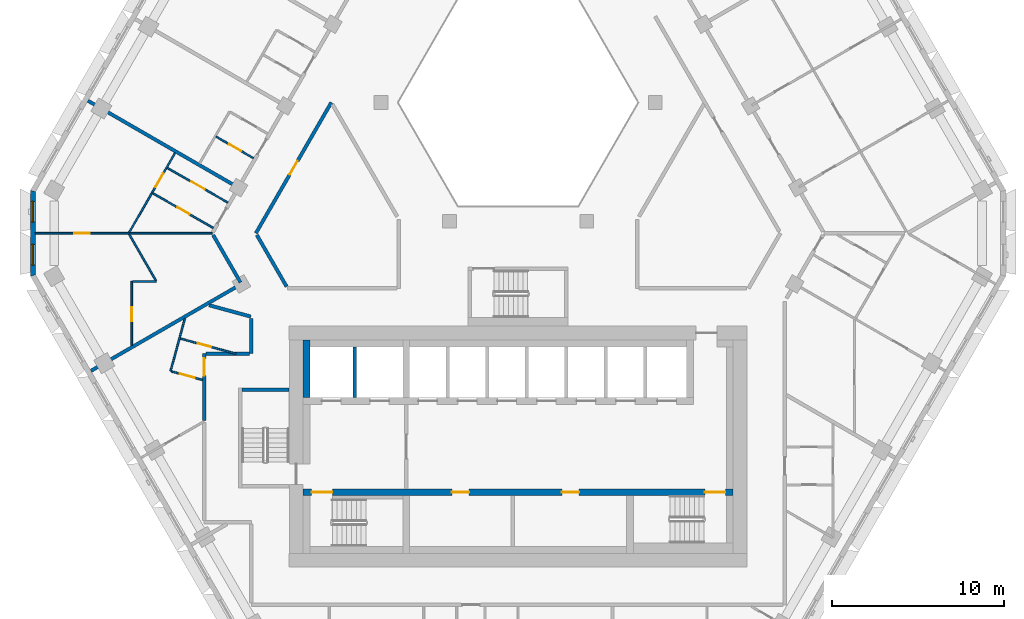
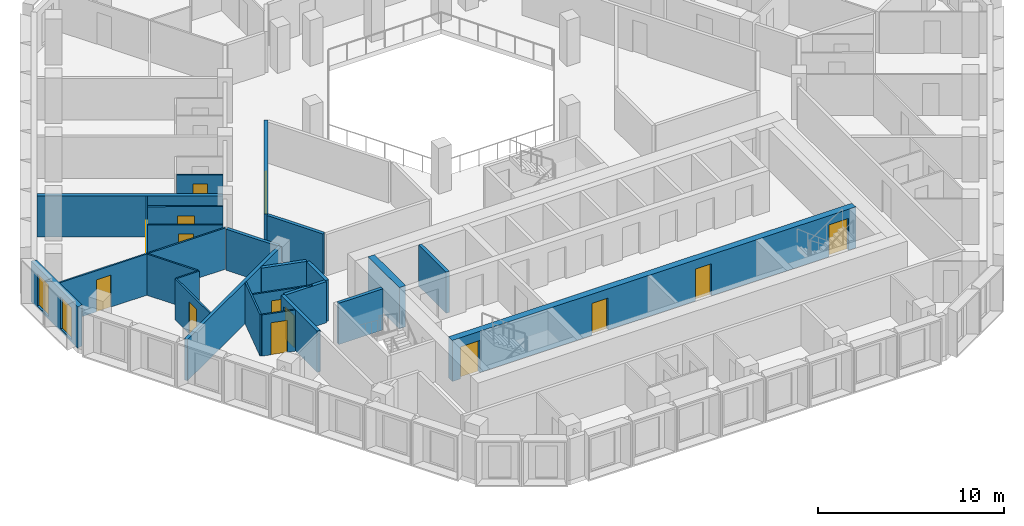
# One storey, part 4 of 17: 25 walls, 14 doors, 2 windows, 16 openings.
"""IFC4 building model written with IfcOpenShell, lengths in metres."""

from ifc_helpers import new_model, si_unit, direction, frame, frame_2d, origin, place, context, subcontext, project, spatial, polyline, rectangle, outline, extrude, material, layer, layer_set, type_object, element, fill, save


model = new_model("IFC4")

# Units and contexts
model_context = context("Model", 3, precision=1e-05, world=origin(), true_north=direction((0.0, 1.0)))
body_context = subcontext(model_context, "Body", "Model", "MODEL_VIEW")
ifc_project = project(units=[si_unit("LENGTHUNIT", "METRE"), si_unit("AREAUNIT", "SQUARE_METRE"), si_unit("VOLUMEUNIT", "CUBIC_METRE"), si_unit("PLANEANGLEUNIT", "RADIAN"), si_unit("MASSUNIT", "GRAM", prefix="KILO")], contexts=[model_context])

# Site, building, storey
site_placement = place(None, origin())
site = spatial("IfcSite", under=ifc_project, at=site_placement, CompositionType="ELEMENT")
building_placement = place(site_placement, origin())
building = spatial("IfcBuilding", under=site, at=building_placement, Name="Beryl Residences", CompositionType="ELEMENT")
storey_placement = place(building_placement, frame((0.0, 0.0, 120.60009765625)))
storey = spatial("IfcBuildingStorey", under=building, at=storey_placement, Name="L36", CompositionType="ELEMENT", Elevation=120.60009765625)

# Wall, openings, windows
ifc_material_1 = material(Name="Composite metal panel with mineral wool insulation")
ifc_layer_1 = layer(ifc_material_1, 0.300048828125)
ifc_layer_set_1 = layer_set([ifc_layer_1], Name="ES1 pale metal composite panel wall 300 mm")
wall_type_1 = type_object("IfcWallType", Name="ES1 pale metal composite panel wall 300 mm", PredefinedType="SOLIDWALL", material=ifc_layer_set_1)
wall_1_placement = place(storey_placement, frame((-28.197998046875, 2.89990234375, 0.0), z_axis=(0.0, 0.0, 1.0), x_axis=(0.0, -1.0, 0.0)))
wall_1 = element("IfcWall", 1, at=wall_1_placement, inside=storey, type_object=wall_type_1, Name="ES1 external wall L36 NW-SW", PredefinedType="SOLIDWALL", context=body_context, shape_type="SweptSolid", body=[
    extrude(outline(polyline([(0.0, -0.14990234375), (5.0, -0.14990234375), (4.919677734375, 0.14990234375), (0.080322265625, 0.14990234375), (0.0, -0.14990234375)])), origin(), (0.0, 0.0, 1.0), 2.699951171875),
])
opening_1_placement = place(wall_1_placement, frame((0.64990234375, 0.0, 0.14990234375)))
opening_1 = element("IfcOpeningElement", 2, at=opening_1_placement, cuts=wall_1, Name="Opening W2", PredefinedType="OPENING", context=body_context, shape_type="SweptSolid", body=[
    extrude(rectangle(XDim=1.199951171875, YDim=2.10009765625, at=frame_2d((0.60009765625, 1.050048828125))), frame((0.0, 0.159912109375, 0.0), z_axis=(0.0, -1.0, 0.0), x_axis=(1.0, 0.0, 0.0)), (0.0, 0.0, 1.0), 0.320068359375),
])
opening_2_placement = place(wall_1_placement, frame((3.14990234375, 0.0, 0.14990234375)))
opening_2 = element("IfcOpeningElement", 3, at=opening_2_placement, cuts=wall_1, Name="Opening W2", PredefinedType="OPENING", context=body_context, shape_type="SweptSolid", body=[
    extrude(rectangle(XDim=1.199951171875, YDim=2.10009765625, at=frame_2d((0.60009765625, 1.050048828125))), frame((0.0, 0.159912109375, 0.0), z_axis=(0.0, -1.0, 0.0), x_axis=(1.0, 0.0, 0.0)), (0.0, 0.0, 1.0), 0.320068359375),
])
ifc_material_2 = material(Name="Aluminium and clear glass", Category="aluminium")
window_type = type_object("IfcWindowType", Name="W2 chamfer window 1200 x 2100 mm", PartitioningType="SINGLE_PANEL", PredefinedType="WINDOW", material=ifc_material_2)
window_1_placement = place(opening_1_placement, origin())
window_1 = element("IfcWindow", 4, at=window_1_placement, inside=storey, type_object=window_type, Name="W2 window L36 NW-SW 1", OverallHeight=2.10009765625, OverallWidth=1.199951171875, PartitioningType="SINGLE_PANEL", PredefinedType="WINDOW", context=body_context, shape_type="SweptSolid", body=[
    extrude(rectangle(XDim=1.199951171875, YDim=2.10009765625, at=frame_2d((0.60009765625, 1.050048828125))), frame((0.0, 0.030029296875, 0.0), z_axis=(0.0, -1.0, 0.0), x_axis=(1.0, 0.0, 0.0)), (0.0, 0.0, 1.0), 0.06005859375),
])
fill(opening_1, window_1)
window_2_placement = place(opening_2_placement, origin())
window_2 = element("IfcWindow", 5, at=window_2_placement, inside=storey, type_object=window_type, Name="W2 window L36 NW-SW 2", OverallHeight=2.10009765625, OverallWidth=1.199951171875, PartitioningType="SINGLE_PANEL", PredefinedType="WINDOW", context=body_context, shape_type="SweptSolid", body=[
    extrude(rectangle(XDim=1.199951171875, YDim=2.10009765625, at=frame_2d((0.60009765625, 1.050048828125))), frame((0.0, 0.030029296875, 0.0), z_axis=(0.0, -1.0, 0.0), x_axis=(1.0, 0.0, 0.0)), (0.0, 0.0, 1.0), 0.06005859375),
])
fill(opening_2, window_2)

# Wall
ifc_material_3 = material(Name="Gypsum board partition on steel studs", Category="steel")
ifc_layer_2 = layer(ifc_material_3, 0.10009765625)
ifc_layer_set_2 = layer_set([ifc_layer_2], Name="PT1 partition 100 mm gypsum board on steel studs")
wall_type_2 = type_object("IfcWallType", Name="PT1 partition 100 mm gypsum board on steel studs", PredefinedType="PARTITIONING", material=ifc_layer_set_2)
wall_2_placement = place(storey_placement, frame((-22.60302734375, 0.34912109375, 0.0), z_axis=(0.0, 0.0, 1.0), x_axis=(0.499930403552, -0.866065581584, 0.0)))
element("IfcWall", 6, at=wall_2_placement, inside=storey, type_object=wall_type_2, Name="Wall PT1 L36 002", PredefinedType="PARTITIONING", context=body_context, shape_type="SweptSolid", body=[
    extrude(rectangle(XDim=3.11669921875, YDim=0.10009765625, at=frame_2d((1.558349609375, 0.0))), origin(), (0.0, 0.0, 1.0), 2.699951171875),
])

# Wall, opening, door
wall_3_placement = place(storey_placement, frame((-19.631103515625, -5.720947265625, 0.0), z_axis=(0.0, 0.0, 1.0), x_axis=(0.964816035809, -0.262925877475, 0.0)))
wall_3 = element("IfcWall", 7, at=wall_3_placement, inside=storey, type_object=wall_type_2, Name="Wall PT1 L36 008", PredefinedType="PARTITIONING", context=body_context, shape_type="SweptSolid", body=[
    extrude(rectangle(XDim=3.34375, YDim=0.10009765625, at=frame_2d((1.671875, 0.0))), origin(), (0.0, 0.0, 1.0), 2.699951171875),
])
opening_3_placement = place(wall_3_placement, frame((1.047119140625, 0.0, 0.0)))
opening_3 = element("IfcOpeningElement", 8, at=opening_3_placement, cuts=wall_3, Name="Opening D1028", PredefinedType="OPENING", context=body_context, shape_type="SweptSolid", body=[
    extrude(rectangle(XDim=0.800048828125, YDim=2.10009765625, at=frame_2d((0.39990234375, 1.050048828125))), frame((0.0, 0.06005859375, 0.0), z_axis=(0.0, -1.0, 0.0), x_axis=(1.0, 0.0, 0.0)), (0.0, 0.0, 1.0), 0.1201171875),
])
ifc_material_4 = material(Name="Timber door leaf", Category="wood")
door_type_1 = type_object("IfcDoorType", Name="D3 bathroom door 800 x 2100 mm", OperationType="SINGLE_SWING_LEFT", PredefinedType="DOOR", material=ifc_material_4)
door_1_placement = place(opening_3_placement, origin())
door_1 = element("IfcDoor", 9, at=door_1_placement, inside=storey, type_object=door_type_1, Name="Door D1028 L36 001", OperationType="SINGLE_SWING_RIGHT", OverallHeight=2.10009765625, OverallWidth=0.800048828125, PredefinedType="DOOR", context=body_context, shape_type="SweptSolid", body=[
    extrude(rectangle(XDim=0.800048828125, YDim=2.10009765625, at=frame_2d((0.39990234375, 1.050048828125))), frame((0.0, 0.02490234375, 0.0), z_axis=(0.0, -1.0, 0.0), x_axis=(1.0, 0.0, 0.0)), (0.0, 0.0, 1.0), 0.050048828125),
])
fill(opening_3, door_1)

wall_4_placement = place(storey_placement, frame((-20.15087890625, -7.631103515625, 0.0), z_axis=(0.0, 0.0, 1.0), x_axis=(0.964784947449, -0.263039930765, 0.0)))
wall_4 = element("IfcWall", 10, at=wall_4_placement, inside=storey, type_object=wall_type_2, Name="Wall PT1 L36 009", PredefinedType="PARTITIONING", context=body_context, shape_type="SweptSolid", body=[
    extrude(rectangle(XDim=1.866455078125, YDim=0.10009765625, at=frame_2d((0.93310546875, 0.0))), origin(), (0.0, 0.0, 1.0), 2.699951171875),
])
opening_4_placement = place(wall_4_placement, frame((0.510009765625, 0.0, 0.0)))
opening_4 = element("IfcOpeningElement", 11, at=opening_4_placement, cuts=wall_4, Name="Opening D1029", PredefinedType="OPENING", context=body_context, shape_type="SweptSolid", body=[
    extrude(rectangle(XDim=0.89990234375, YDim=2.10009765625, at=frame_2d((0.449951171875, 1.050048828125))), frame((0.0, 0.06005859375, 0.0), z_axis=(0.0, -1.0, 0.0), x_axis=(1.0, 0.0, 0.0)), (0.0, 0.0, 1.0), 0.1201171875),
])
ifc_material_5 = material(Name="Timber door leaf", Category="wood")
door_type_2 = type_object("IfcDoorType", Name="D2 room door 900 x 2100 mm", OperationType="SINGLE_SWING_LEFT", PredefinedType="DOOR", material=ifc_material_5)
door_2_placement = place(opening_4_placement, origin())
door_2 = element("IfcDoor", 12, at=door_2_placement, inside=storey, type_object=door_type_2, Name="Door D1029 L36 001", OperationType="SINGLE_SWING_LEFT", OverallHeight=2.10009765625, OverallWidth=0.89990234375, PredefinedType="DOOR", context=body_context, shape_type="SweptSolid", body=[
    extrude(rectangle(XDim=0.89990234375, YDim=2.10009765625, at=frame_2d((0.449951171875, 1.050048828125))), frame((0.0, 0.02490234375, 0.0), z_axis=(0.0, -1.0, 0.0), x_axis=(1.0, 0.0, 0.0)), (0.0, 0.0, 1.0), 0.050048828125),
])
fill(opening_4, door_2)

wall_5_placement = place(storey_placement, frame((-17.552978515625, 6.01708984375, 0.0), z_axis=(0.0, 0.0, 1.0), x_axis=(0.866038211682, -0.499977815414, 0.0)))
wall_5 = element("IfcWall", 13, at=wall_5_placement, inside=storey, type_object=wall_type_2, Name="Wall PT1 L36 010", PredefinedType="PARTITIONING", context=body_context, shape_type="SweptSolid", body=[
    extrude(rectangle(XDim=2.51025390625, YDim=0.10009765625, at=frame_2d((1.255126953125, 0.0))), origin(), (0.0, 0.0, 1.0), 2.699951171875),
])
opening_5_placement = place(wall_5_placement, frame((0.8798828125, 0.0, 0.0)))
opening_5 = element("IfcOpeningElement", 14, at=opening_5_placement, cuts=wall_5, Name="Opening D1020", PredefinedType="OPENING", context=body_context, shape_type="SweptSolid", body=[
    extrude(rectangle(XDim=0.800048828125, YDim=2.10009765625, at=frame_2d((0.39990234375, 1.050048828125))), frame((0.0, 0.06005859375, 0.0), z_axis=(0.0, -1.0, 0.0), x_axis=(1.0, 0.0, 0.0)), (0.0, 0.0, 1.0), 0.1201171875),
])
door_3_placement = place(opening_5_placement, origin())
door_3 = element("IfcDoor", 15, at=door_3_placement, inside=storey, type_object=door_type_1, Name="Door D1020 L36 001", OperationType="SINGLE_SWING_RIGHT", OverallHeight=2.10009765625, OverallWidth=0.800048828125, PredefinedType="DOOR", context=body_context, shape_type="SweptSolid", body=[
    extrude(rectangle(XDim=0.800048828125, YDim=2.10009765625, at=frame_2d((0.39990234375, 1.050048828125))), frame((0.0, 0.02490234375, 0.0), z_axis=(0.0, -1.0, 0.0), x_axis=(1.0, 0.0, 0.0)), (0.0, 0.0, 1.0), 0.050048828125),
])
fill(opening_5, door_3)

wall_6_placement = place(storey_placement, frame((-20.381103515625, 4.197998046875, 0.0), z_axis=(0.0, 0.0, 1.0), x_axis=(0.867459321792, -0.497508115549, 0.0)))
wall_6 = element("IfcWall", 16, at=wall_6_placement, inside=storey, type_object=wall_type_2, Name="Wall PT1 L36 012", PredefinedType="PARTITIONING", context=body_context, shape_type="SweptSolid", body=[
    extrude(rectangle(XDim=4.050048828125, YDim=0.10009765625, at=frame_2d((2.02490234375, 0.0))), origin(), (0.0, 0.0, 1.0), 2.699951171875),
])
opening_6_placement = place(wall_6_placement, frame((1.60009765625, 0.0, 0.0)))
opening_6 = element("IfcOpeningElement", 17, at=opening_6_placement, cuts=wall_6, Name="Opening D1022", PredefinedType="OPENING", context=body_context, shape_type="SweptSolid", body=[
    extrude(rectangle(XDim=0.89990234375, YDim=2.10009765625, at=frame_2d((0.449951171875, 1.050048828125))), frame((0.0, 0.06005859375, 0.0), z_axis=(0.0, -1.0, 0.0), x_axis=(1.0, 0.0, 0.0)), (0.0, 0.0, 1.0), 0.1201171875),
])
door_4_placement = place(opening_6_placement, origin())
door_4 = element("IfcDoor", 18, at=door_4_placement, inside=storey, type_object=door_type_2, Name="Door D1022 L36 001", OperationType="SINGLE_SWING_RIGHT", OverallHeight=2.10009765625, OverallWidth=0.89990234375, PredefinedType="DOOR", context=body_context, shape_type="SweptSolid", body=[
    extrude(rectangle(XDim=0.89990234375, YDim=2.10009765625, at=frame_2d((0.449951171875, 1.050048828125))), frame((0.0, 0.02490234375, 0.0), z_axis=(0.0, -1.0, 0.0), x_axis=(1.0, 0.0, 0.0)), (0.0, 0.0, 1.0), 0.050048828125),
])
fill(opening_6, door_4)

wall_7_placement = place(storey_placement, frame((-21.23095703125, 2.72607421875, 0.0), z_axis=(0.0, 0.0, 1.0), x_axis=(0.867314299312, -0.497760892607, 0.0)))
wall_7 = element("IfcWall", 19, at=wall_7_placement, inside=storey, type_object=wall_type_2, Name="Wall PT1 L36 013", PredefinedType="PARTITIONING", context=body_context, shape_type="SweptSolid", body=[
    extrude(rectangle(XDim=4.05029296875, YDim=0.10009765625, at=frame_2d((2.025146484375, 0.0))), origin(), (0.0, 0.0, 1.0), 2.699951171875),
])
opening_7_placement = place(wall_7_placement, frame((1.64990234375, 0.0, 0.0)))
opening_7 = element("IfcOpeningElement", 20, at=opening_7_placement, cuts=wall_7, Name="Opening D1023", PredefinedType="OPENING", context=body_context, shape_type="SweptSolid", body=[
    extrude(rectangle(XDim=0.800048828125, YDim=2.10009765625, at=frame_2d((0.39990234375, 1.050048828125))), frame((0.0, 0.06005859375, 0.0), z_axis=(0.0, -1.0, 0.0), x_axis=(1.0, 0.0, 0.0)), (0.0, 0.0, 1.0), 0.1201171875),
])
door_5_placement = place(opening_7_placement, origin())
door_5 = element("IfcDoor", 21, at=door_5_placement, inside=storey, type_object=door_type_1, Name="Door D1023 L36 001", OperationType="SINGLE_SWING_LEFT", OverallHeight=2.10009765625, OverallWidth=0.800048828125, PredefinedType="DOOR", context=body_context, shape_type="SweptSolid", body=[
    extrude(rectangle(XDim=0.800048828125, YDim=2.10009765625, at=frame_2d((0.39990234375, 1.050048828125))), frame((0.0, 0.02490234375, 0.0), z_axis=(0.0, -1.0, 0.0), x_axis=(1.0, 0.0, 0.0)), (0.0, 0.0, 1.0), 0.050048828125),
])
fill(opening_7, door_5)

# Wall
wall_8_placement = place(storey_placement, frame((-22.39990234375, -2.39990234375, 0.0), z_axis=(0.0, 0.0, 1.0), x_axis=(1.0, 0.0, 0.0)))
element("IfcWall", 22, at=wall_8_placement, inside=storey, type_object=wall_type_2, Name="Wall PT1 L36 025", PredefinedType="PARTITIONING", context=body_context, shape_type="SweptSolid", body=[
    extrude(rectangle(XDim=1.3837890625, YDim=0.10009765625, at=frame_2d((0.69189453125, 0.0))), origin(), (0.0, 0.0, 1.0), 2.699951171875),
])

# Wall, opening, door
wall_9_placement = place(storey_placement, frame((-28.048095703125, 0.39892578125, 0.0), z_axis=(0.0, 0.0, 1.0), x_axis=(1.0, 0.0, 0.0)))
wall_9 = element("IfcWall", 23, at=wall_9_placement, inside=storey, type_object=wall_type_2, Name="Wall PT1 L36 026", PredefinedType="PARTITIONING", context=body_context, shape_type="SweptSolid", body=[
    extrude(rectangle(XDim=10.26611328125, YDim=0.10009765625, at=frame_2d((5.133056640625, 0.0))), origin(), (0.0, 0.0, 1.0), 2.699951171875),
])
opening_8_placement = place(wall_9_placement, frame((2.258056640625, 0.0, 0.0)))
opening_8 = element("IfcOpeningElement", 24, at=opening_8_placement, cuts=wall_9, Name="Opening D1025", PredefinedType="OPENING", context=body_context, shape_type="SweptSolid", body=[
    extrude(rectangle(XDim=0.89990234375, YDim=2.10009765625, at=frame_2d((0.449951171875, 1.050048828125))), frame((0.0, 0.06005859375, 0.0), z_axis=(0.0, -1.0, 0.0), x_axis=(1.0, 0.0, 0.0)), (0.0, 0.0, 1.0), 0.1201171875),
])
door_6_placement = place(opening_8_placement, origin())
door_6 = element("IfcDoor", 25, at=door_6_placement, inside=storey, type_object=door_type_2, Name="Door D1025 L36 001", OperationType="SINGLE_SWING_LEFT", OverallHeight=2.10009765625, OverallWidth=0.89990234375, PredefinedType="DOOR", context=body_context, shape_type="SweptSolid", body=[
    extrude(rectangle(XDim=0.89990234375, YDim=2.10009765625, at=frame_2d((0.449951171875, 1.050048828125))), frame((0.0, 0.02490234375, 0.0), z_axis=(0.0, -1.0, 0.0), x_axis=(1.0, 0.0, 0.0)), (0.0, 0.0, 1.0), 0.050048828125),
])
fill(opening_8, door_6)

wall_10_placement = place(storey_placement, frame((-22.60302734375, 0.448974609375, 0.0), z_axis=(0.0, 0.0, 1.0), x_axis=(0.500022588228, 0.866012362072, 0.0)))
wall_10 = element("IfcWall", 26, at=wall_10_placement, inside=storey, type_object=wall_type_2, Name="Wall PT1 L36 036", PredefinedType="PARTITIONING", context=body_context, shape_type="SweptSolid", body=[
    extrude(rectangle(XDim=5.327880859375, YDim=0.10009765625, at=frame_2d((2.6640625, 0.0))), origin(), (0.0, 0.0, 1.0), 2.699951171875),
])
opening_9_placement = place(wall_10_placement, frame((3.05810546875, 0.0, 0.0)))
opening_9 = element("IfcOpeningElement", 27, at=opening_9_placement, cuts=wall_10, Name="Opening D1024", PredefinedType="OPENING", context=body_context, shape_type="SweptSolid", body=[
    extrude(rectangle(XDim=0.89990234375, YDim=2.10009765625, at=frame_2d((0.449951171875, 1.050048828125))), frame((0.0, 0.06005859375, 0.0), z_axis=(0.0, -1.0, 0.0), x_axis=(1.0, 0.0, 0.0)), (0.0, 0.0, 1.0), 0.1201171875),
])
door_7_placement = place(opening_9_placement, origin())
door_7 = element("IfcDoor", 28, at=door_7_placement, inside=storey, type_object=door_type_2, Name="Door D1024 L36 001", OperationType="SINGLE_SWING_RIGHT", OverallHeight=2.10009765625, OverallWidth=0.89990234375, PredefinedType="DOOR", context=body_context, shape_type="SweptSolid", body=[
    extrude(rectangle(XDim=0.89990234375, YDim=2.10009765625, at=frame_2d((0.449951171875, 1.050048828125))), frame((0.0, 0.02490234375, 0.0), z_axis=(0.0, -1.0, 0.0), x_axis=(1.0, 0.0, 0.0)), (0.0, 0.0, 1.0), 0.050048828125),
])
fill(opening_9, door_7)

# Wall
wall_11_placement = place(storey_placement, frame((-20.199951171875, -7.616943359375, 0.0), z_axis=(0.0, 0.0, 1.0), x_axis=(0.263150035392, 0.964754921663, 0.0)))
element("IfcWall", 29, at=wall_11_placement, inside=storey, type_object=wall_type_2, Name="Wall PT1 L36 039", PredefinedType="PARTITIONING", context=body_context, shape_type="SweptSolid", body=[
    extrude(rectangle(XDim=3.16552734375, YDim=0.10009765625, at=frame_2d((1.582763671875, 0.0))), origin(), (0.0, 0.0, 1.0), 2.699951171875),
])

# Wall, opening, door
wall_12_placement = place(storey_placement, frame((-22.449951171875, -6.112060546875, 0.0), z_axis=(0.0, 0.0, 1.0), x_axis=(0.0, 1.0, 0.0)))
wall_12 = element("IfcWall", 30, at=wall_12_placement, inside=storey, type_object=wall_type_2, Name="Wall PT1 L36 049", PredefinedType="PARTITIONING", context=body_context, shape_type="SweptSolid", body=[
    extrude(rectangle(XDim=3.712158203125, YDim=0.10009765625, at=frame_2d((1.85595703125, 0.0))), origin(), (0.0, 0.0, 1.0), 2.699951171875),
])
opening_10_placement = place(wall_12_placement, frame((1.39794921875, 0.0, 0.0)))
opening_10 = element("IfcOpeningElement", 31, at=opening_10_placement, cuts=wall_12, Name="Opening D1026", PredefinedType="OPENING", context=body_context, shape_type="SweptSolid", body=[
    extrude(rectangle(XDim=0.800048828125, YDim=2.10009765625, at=frame_2d((0.39990234375, 1.050048828125))), frame((0.0, 0.06005859375, 0.0), z_axis=(0.0, -1.0, 0.0), x_axis=(1.0, 0.0, 0.0)), (0.0, 0.0, 1.0), 0.1201171875),
])
door_8_placement = place(opening_10_placement, origin())
door_8 = element("IfcDoor", 32, at=door_8_placement, inside=storey, type_object=door_type_1, Name="Door D1026 L36 001", OperationType="SINGLE_SWING_RIGHT", OverallHeight=2.10009765625, OverallWidth=0.800048828125, PredefinedType="DOOR", context=body_context, shape_type="SweptSolid", body=[
    extrude(rectangle(XDim=0.800048828125, YDim=2.10009765625, at=frame_2d((0.39990234375, 1.050048828125))), frame((0.0, 0.02490234375, 0.0), z_axis=(0.0, -1.0, 0.0), x_axis=(1.0, 0.0, 0.0)), (0.0, 0.0, 1.0), 0.050048828125),
])
fill(opening_10, door_8)

# Walls
ifc_material_6 = material(Name="Acoustic double stud gypsum board wall")
ifc_layer_3 = layer(ifc_material_6, 0.199951171875)
ifc_layer_set_3 = layer_set([ifc_layer_3], Name="PT3 party wall 200 mm acoustic double stud")
wall_type_3 = type_object("IfcWallType", Name="PT3 party wall 200 mm acoustic double stud", PredefinedType="PARTITIONING", material=ifc_layer_set_3)
wall_13_placement = place(storey_placement, frame((-17.9560546875, -3.782958984375, 0.0), z_axis=(0.0, 0.0, 1.0), x_axis=(0.964815336827, -0.2629284424, 0.0)))
element("IfcWall", 33, at=wall_13_placement, inside=storey, type_object=wall_type_3, Name="Wall PT3 L36 001", PredefinedType="PARTITIONING", context=body_context, shape_type="SweptSolid", body=[
    extrude(rectangle(XDim=2.514404296875, YDim=0.199951171875, at=frame_2d((1.25732421875, 0.0))), origin(), (0.0, 0.0, 1.0), 2.699951171875),
])
wall_14_placement = place(storey_placement, frame((-24.9990234375, 8.10009765625, 0.0), z_axis=(0.0, 0.0, 1.0), x_axis=(0.866016855193, -0.500014806302, 0.0)))
element("IfcWall", 34, at=wall_14_placement, inside=storey, type_object=wall_type_3, Name="Wall PT3 L36 002", PredefinedType="PARTITIONING", context=body_context, shape_type="SweptSolid", body=[
    extrude(rectangle(XDim=9.999755859375, YDim=0.199951171875, at=frame_2d((5.0, 0.0))), origin(), (0.0, 0.0, 1.0), 2.699951171875),
])
wall_15_placement = place(storey_placement, frame((-24.825927734375, -7.59912109375, 0.0), z_axis=(0.0, 0.0, 1.0), x_axis=(0.86599621094, 0.500050560081, 0.0)))
element("IfcWall", 35, at=wall_15_placement, inside=storey, type_object=wall_type_3, Name="Wall PT3 L36 013", PredefinedType="PARTITIONING", context=body_context, shape_type="SweptSolid", body=[
    extrude(rectangle(XDim=10.0693359375, YDim=0.199951171875, at=frame_2d((5.03466796875, 0.0))), origin(), (0.0, 0.0, 1.0), 2.699951171875),
])
ifc_material_7 = material(Name="Double stud gypsum board wall")
ifc_layer_4 = layer(ifc_material_7, 0.199951171875)
ifc_layer_set_4 = layer_set([ifc_layer_4], Name="PT4 corridor wall 200 mm double stud")
wall_type_4 = type_object("IfcWallType", Name="PT4 corridor wall 200 mm double stud", PredefinedType="PARTITIONING", material=ifc_layer_set_4)
wall_16_placement = place(storey_placement, frame((-15.18408203125, 0.299072265625, 0.0), z_axis=(0.0, 0.0, 1.0), x_axis=(0.500149577091, -0.865939028186, 0.0)))
element("IfcWall", 36, at=wall_16_placement, inside=storey, type_object=wall_type_4, Name="Wall PT4 L36 002", PredefinedType="PARTITIONING", context=body_context, shape_type="SweptSolid", body=[
    extrude(rectangle(XDim=3.46337890625, YDim=0.199951171875, at=frame_2d((1.731689453125, 0.0))), origin(), (0.0, 0.0, 1.0), 2.699951171875),
])
wall_17_placement = place(storey_placement, frame((-17.72412109375, 0.299072265625, 0.0), z_axis=(0.0, 0.0, 1.0), x_axis=(0.499910220442, -0.866077231832, 0.0)))
element("IfcWall", 37, at=wall_17_placement, inside=storey, type_object=wall_type_4, Name="Wall PT4 L36 003", PredefinedType="PARTITIONING", context=body_context, shape_type="SweptSolid", body=[
    extrude(rectangle(XDim=3.18896484375, YDim=0.199951171875, at=frame_2d((1.594482421875, 0.0))), origin(), (0.0, 0.0, 1.0), 2.699951171875),
])
wall_18_placement = place(storey_placement, frame((-18.14990234375, -6.60009765625, 0.0), z_axis=(0.0, 0.0, 1.0), x_axis=(1.0, 0.0, 0.0)))
element("IfcWall", 38, at=wall_18_placement, inside=storey, type_object=wall_type_4, Name="Wall PT4 L36 009", PredefinedType="PARTITIONING", context=body_context, shape_type="SweptSolid", body=[
    extrude(rectangle(XDim=2.5498046875, YDim=0.199951171875, at=frame_2d((1.27490234375, 0.0))), origin(), (0.0, 0.0, 1.0), 2.699951171875),
])

# Wall, opening, door
wall_19_placement = place(storey_placement, frame((-15.241943359375, 0.39892578125, 0.0), z_axis=(0.0, 0.0, 1.0), x_axis=(0.499953615651, 0.866052182145, 0.0)))
wall_19 = element("IfcWall", 39, at=wall_19_placement, inside=storey, type_object=wall_type_4, Name="Wall PT4 L36 020", PredefinedType="PARTITIONING", context=body_context, shape_type="SweptSolid", body=[
    extrude(rectangle(XDim=8.776611328125, YDim=0.199951171875, at=frame_2d((4.38818359375, 0.0))), origin(), (0.0, 0.0, 1.0), 2.699951171875),
])
opening_11_placement = place(wall_19_placement, frame((3.93798828125, 0.0, 0.0)))
opening_11 = element("IfcOpeningElement", 40, at=opening_11_placement, cuts=wall_19, Name="Opening D1055", PredefinedType="OPENING", context=body_context, shape_type="SweptSolid", body=[
    extrude(rectangle(XDim=0.89990234375, YDim=2.10009765625, at=frame_2d((0.449951171875, 1.050048828125))), frame((0.0, 0.10986328125, 0.0), z_axis=(0.0, -1.0, 0.0), x_axis=(1.0, 0.0, 0.0)), (0.0, 0.0, 1.0), 0.219970703125),
])
door_9_placement = place(opening_11_placement, origin())
door_9 = element("IfcDoor", 41, at=door_9_placement, inside=storey, type_object=door_type_2, Name="Door D1055 L36 001", OperationType="SINGLE_SWING_LEFT", OverallHeight=2.10009765625, OverallWidth=0.89990234375, PredefinedType="DOOR", context=body_context, shape_type="SweptSolid", body=[
    extrude(rectangle(XDim=0.89990234375, YDim=2.10009765625, at=frame_2d((0.449951171875, 1.050048828125))), frame((0.0, 0.02490234375, 0.0), z_axis=(0.0, -1.0, 0.0), x_axis=(1.0, 0.0, 0.0)), (0.0, 0.0, 1.0), 0.050048828125),
])
fill(opening_11, door_9)

# Wall
wall_20_placement = place(storey_placement, frame((-15.5, -6.60009765625, 0.0), z_axis=(0.0, 0.0, 1.0), x_axis=(0.0, 1.0, 0.0)))
element("IfcWall", 42, at=wall_20_placement, inside=storey, type_object=wall_type_4, Name="Wall PT4 L36 026", PredefinedType="PARTITIONING", context=body_context, shape_type="SweptSolid", body=[
    extrude(rectangle(XDim=2.044189453125, YDim=0.199951171875, at=frame_2d((1.02197265625, 0.0))), origin(), (0.0, 0.0, 1.0), 2.699951171875),
])

# Wall, opening, door
wall_21_placement = place(storey_placement, frame((-18.25, -10.47802734375, 0.0), z_axis=(0.0, 0.0, 1.0), x_axis=(0.0, 1.0, 0.0)))
wall_21 = element("IfcWall", 43, at=wall_21_placement, inside=storey, type_object=wall_type_4, Name="Wall PT4 L36 027", PredefinedType="PARTITIONING", context=body_context, shape_type="SweptSolid", body=[
    extrude(rectangle(XDim=3.8779296875, YDim=0.199951171875, at=frame_2d((1.93896484375, 0.0))), origin(), (0.0, 0.0, 1.0), 2.699951171875),
])
opening_12_placement = place(wall_21_placement, frame((2.60791015625, 0.0, 0.0)))
opening_12 = element("IfcOpeningElement", 44, at=opening_12_placement, cuts=wall_21, Name="Opening D1027", PredefinedType="OPENING", context=body_context, shape_type="SweptSolid", body=[
    extrude(rectangle(XDim=1.0, YDim=2.10009765625, at=frame_2d((0.5, 1.050048828125))), frame((0.0, 0.10986328125, 0.0), z_axis=(0.0, -1.0, 0.0), x_axis=(1.0, 0.0, 0.0)), (0.0, 0.0, 1.0), 0.219970703125),
])
ifc_material_8 = material(Name="Timber door leaf", Category="wood")
door_type_3 = type_object("IfcDoorType", Name="D1 flat entrance door 1000 x 2100 mm", OperationType="SINGLE_SWING_LEFT", PredefinedType="DOOR", material=ifc_material_8)
door_10_placement = place(opening_12_placement, origin())
door_10 = element("IfcDoor", 45, at=door_10_placement, inside=storey, type_object=door_type_3, Name="Door D1027 L36 001", OperationType="SINGLE_SWING_LEFT", OverallHeight=2.10009765625, OverallWidth=1.0, PredefinedType="DOOR", context=body_context, shape_type="SweptSolid", body=[
    extrude(rectangle(XDim=1.0, YDim=2.10009765625, at=frame_2d((0.5, 1.050048828125))), frame((0.0, 0.02490234375, 0.0), z_axis=(0.0, -1.0, 0.0), x_axis=(1.0, 0.0, 0.0)), (0.0, 0.0, 1.0), 0.050048828125),
])
fill(opening_12, door_10)

# Walls
ifc_material_9 = material(Name="Concrete C40/50", Category="concrete")
ifc_layer_5 = layer(ifc_material_9, 0.199951171875)
ifc_layer_set_5 = layer_set([ifc_layer_5], Name="PT5 stair enclosure wall 200 mm reinforced concrete C40/50")
wall_type_5 = type_object("IfcWallType", Name="PT5 stair enclosure wall 200 mm reinforced concrete C40/50", PredefinedType="SOLIDWALL", material=ifc_layer_set_5)
wall_22_placement = place(storey_placement, frame((-16.050048828125, -8.699951171875, 0.0), z_axis=(0.0, 0.0, 1.0), x_axis=(1.0, 0.0, 0.0)))
element("IfcWall", 46, at=wall_22_placement, inside=storey, type_object=wall_type_5, Name="Stair wall 03", PredefinedType="SOLIDWALL", context=body_context, shape_type="SweptSolid", body=[
    extrude(rectangle(XDim=2.75, YDim=0.199951171875, at=frame_2d((1.375, 0.0))), origin(), (0.0, 0.0, 1.0), 2.699951171875),
])
ifc_material_10 = material(Name="Concrete C40/50", Category="concrete")
ifc_layer_6 = layer(ifc_material_10, 0.199951171875)
ifc_layer_set_6 = layer_set([ifc_layer_6], Name="PT6 lift shaft wall 200 mm reinforced concrete C40/50")
wall_type_6 = type_object("IfcWallType", Name="PT6 lift shaft wall 200 mm reinforced concrete C40/50", PredefinedType="SOLIDWALL", material=ifc_layer_set_6)
wall_23_placement = place(storey_placement, frame((-9.5, -9.14990234375, 0.0), z_axis=(0.0, 0.0, 1.0), x_axis=(0.0, 1.0, 0.0)))
element("IfcWall", 47, at=wall_23_placement, inside=storey, type_object=wall_type_6, Name="Lift shaft wall 10", PredefinedType="SOLIDWALL", context=body_context, shape_type="SweptSolid", body=[
    extrude(rectangle(XDim=2.949951171875, YDim=0.199951171875, at=frame_2d((1.47509765625, 0.0))), origin(), (0.0, 0.0, 1.0), 2.699951171875),
])
ifc_material_11 = material(Name="Concrete C40/50", Category="concrete")
ifc_layer_7 = layer(ifc_material_11, 0.39990234375)
ifc_layer_set_7 = layer_set([ifc_layer_7], Name="PT6-400 lift shaft wall 400 mm")
wall_type_7 = type_object("IfcWallType", Name="PT6-400 lift shaft wall 400 mm", PredefinedType="SOLIDWALL", material=ifc_layer_set_7)
wall_24_placement = place(storey_placement, frame((-12.300048828125, -9.14990234375, 0.0), z_axis=(0.0, 0.0, 1.0), x_axis=(0.0, 1.0, 0.0)))
element("IfcWall", 48, at=wall_24_placement, inside=storey, type_object=wall_type_7, Name="Lift shaft wall 06", PredefinedType="SOLIDWALL", context=body_context, shape_type="SweptSolid", body=[
    extrude(rectangle(XDim=3.349853515625, YDim=0.39990234375, at=frame_2d((1.6748046875, 0.0))), origin(), (0.0, 0.0, 1.0), 2.699951171875),
])

# Wall, openings, doors
ifc_material_12 = material(Name="Concrete C60/75", Category="concrete")
ifc_layer_8 = layer(ifc_material_12, 0.39990234375)
ifc_layer_set_8 = layer_set([ifc_layer_8], Name="SW8 core internal wall 400 mm C60/75")
wall_type_8 = type_object("IfcWallType", Name="SW8 core internal wall 400 mm C60/75", PredefinedType="SHEAR", material=ifc_layer_set_8)
wall_25_placement = place(storey_placement, frame((-12.5, -14.64990234375, 0.0), z_axis=(0.0, 0.0, 1.0), x_axis=(1.0, 0.0, 0.0)))
wall_25 = element("IfcWall", 49, at=wall_25_placement, inside=storey, type_object=wall_type_8, Name="Core wall SP1 L36", PredefinedType="SHEAR", context=body_context, shape_type="SweptSolid", body=[
    extrude(rectangle(XDim=25.0, YDim=0.39990234375, at=frame_2d((12.5, 0.0))), origin(), (0.0, 0.0, 1.0), 2.699951171875),
])
opening_13_placement = place(wall_25_placement, frame((1.699951171875, 0.0, 0.0), z_axis=(0.0, 0.0, 1.0), x_axis=(-1.0, 0.0, 0.0)))
opening_13 = element("IfcOpeningElement", 50, at=opening_13_placement, cuts=wall_25, Name="Opening SD-1", PredefinedType="OPENING", context=body_context, shape_type="SweptSolid", body=[
    extrude(rectangle(XDim=1.199951171875, YDim=2.10009765625, at=frame_2d((0.60009765625, 1.050048828125))), frame((0.0, 0.2099609375, 0.0), z_axis=(0.0, -1.0, 0.0), x_axis=(1.0, 0.0, 0.0)), (0.0, 0.0, 1.0), 0.419921875),
])
opening_14_placement = place(wall_25_placement, frame((24.550048828125, 0.0, 0.0), z_axis=(0.0, 0.0, 1.0), x_axis=(-1.0, 0.0, 0.0)))
opening_14 = element("IfcOpeningElement", 51, at=opening_14_placement, cuts=wall_25, Name="Opening SD-3", PredefinedType="OPENING", context=body_context, shape_type="SweptSolid", body=[
    extrude(rectangle(XDim=1.199951171875, YDim=2.10009765625, at=frame_2d((0.60009765625, 1.050048828125))), frame((0.0, 0.2099609375, 0.0), z_axis=(0.0, -1.0, 0.0), x_axis=(1.0, 0.0, 0.0)), (0.0, 0.0, 1.0), 0.419921875),
])
opening_15_placement = place(wall_25_placement, frame((9.64990234375, 0.0, 0.0), z_axis=(0.0, 0.0, 1.0), x_axis=(-1.0, 0.0, 0.0)))
opening_15 = element("IfcOpeningElement", 52, at=opening_15_placement, cuts=wall_25, Name="Opening CD-D-S1", PredefinedType="OPENING", context=body_context, shape_type="SweptSolid", body=[
    extrude(rectangle(XDim=1.0, YDim=2.10009765625, at=frame_2d((0.5, 1.050048828125))), frame((0.0, 0.2099609375, 0.0), z_axis=(0.0, -1.0, 0.0), x_axis=(1.0, 0.0, 0.0)), (0.0, 0.0, 1.0), 0.419921875),
])
opening_16_placement = place(wall_25_placement, frame((16.050048828125, 0.0, 0.0), z_axis=(0.0, 0.0, 1.0), x_axis=(-1.0, 0.0, 0.0)))
opening_16 = element("IfcOpeningElement", 53, at=opening_16_placement, cuts=wall_25, Name="Opening CD-D-S2", PredefinedType="OPENING", context=body_context, shape_type="SweptSolid", body=[
    extrude(rectangle(XDim=1.0, YDim=2.10009765625, at=frame_2d((0.5, 1.050048828125))), frame((0.0, 0.2099609375, 0.0), z_axis=(0.0, -1.0, 0.0), x_axis=(1.0, 0.0, 0.0)), (0.0, 0.0, 1.0), 0.419921875),
])
ifc_material_13 = material(Name="Steel door leaf in steel frame", Category="steel")
door_type_4 = type_object("IfcDoorType", Name="D18 service room door 1000 x 2100 mm", OperationType="SINGLE_SWING_LEFT", PredefinedType="DOOR", material=ifc_material_13)
door_11_placement = place(opening_15_placement, origin())
door_11 = element("IfcDoor", 54, at=door_11_placement, inside=storey, type_object=door_type_4, Name="Door CD-D-S1 L36 001", OperationType="SINGLE_SWING_RIGHT", OverallHeight=2.10009765625, OverallWidth=1.0, PredefinedType="DOOR", context=body_context, shape_type="SweptSolid", body=[
    extrude(rectangle(XDim=1.0, YDim=2.10009765625, at=frame_2d((0.5, 1.050048828125))), frame((0.0, 0.02490234375, 0.0), z_axis=(0.0, -1.0, 0.0), x_axis=(1.0, 0.0, 0.0)), (0.0, 0.0, 1.0), 0.050048828125),
])
fill(opening_15, door_11)
door_12_placement = place(opening_16_placement, origin())
door_12 = element("IfcDoor", 55, at=door_12_placement, inside=storey, type_object=door_type_4, Name="Door CD-D-S2 L36 001", OperationType="SINGLE_SWING_LEFT", OverallHeight=2.10009765625, OverallWidth=1.0, PredefinedType="DOOR", context=body_context, shape_type="SweptSolid", body=[
    extrude(rectangle(XDim=1.0, YDim=2.10009765625, at=frame_2d((0.5, 1.050048828125))), frame((0.0, 0.02490234375, 0.0), z_axis=(0.0, -1.0, 0.0), x_axis=(1.0, 0.0, 0.0)), (0.0, 0.0, 1.0), 0.050048828125),
])
fill(opening_16, door_12)
ifc_material_14 = material(Name="Steel door leaf in steel frame", Category="steel")
door_type_5 = type_object("IfcDoorType", Name="D4 stair door 1200 x 2100 mm", OperationType="SINGLE_SWING_LEFT", PredefinedType="DOOR", material=ifc_material_14)
door_13_placement = place(opening_13_placement, origin())
door_13 = element("IfcDoor", 56, at=door_13_placement, inside=storey, type_object=door_type_5, Name="Door SD-1 L36 001", OperationType="SINGLE_SWING_RIGHT", OverallHeight=2.10009765625, OverallWidth=1.199951171875, PredefinedType="DOOR", context=body_context, shape_type="SweptSolid", body=[
    extrude(rectangle(XDim=1.199951171875, YDim=2.10009765625, at=frame_2d((0.60009765625, 1.050048828125))), frame((0.0, 0.02490234375, 0.0), z_axis=(0.0, -1.0, 0.0), x_axis=(1.0, 0.0, 0.0)), (0.0, 0.0, 1.0), 0.050048828125),
])
fill(opening_13, door_13)
door_14_placement = place(opening_14_placement, origin())
door_14 = element("IfcDoor", 57, at=door_14_placement, inside=storey, type_object=door_type_5, Name="Door SD-3 L36 001", OperationType="SINGLE_SWING_RIGHT", OverallHeight=2.10009765625, OverallWidth=1.199951171875, PredefinedType="DOOR", context=body_context, shape_type="SweptSolid", body=[
    extrude(rectangle(XDim=1.199951171875, YDim=2.10009765625, at=frame_2d((0.60009765625, 1.050048828125))), frame((0.0, 0.02490234375, 0.0), z_axis=(0.0, -1.0, 0.0), x_axis=(1.0, 0.0, 0.0)), (0.0, 0.0, 1.0), 0.050048828125),
])
fill(opening_14, door_14)

save(model, "model.ifc")
